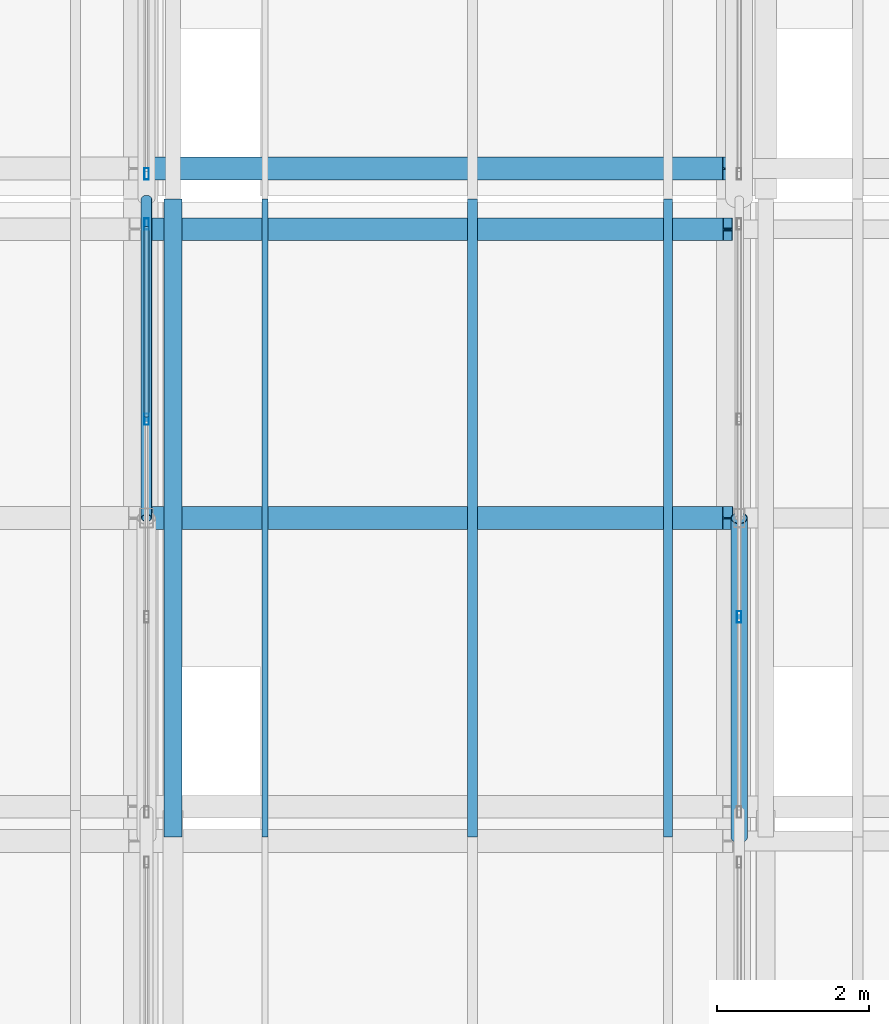
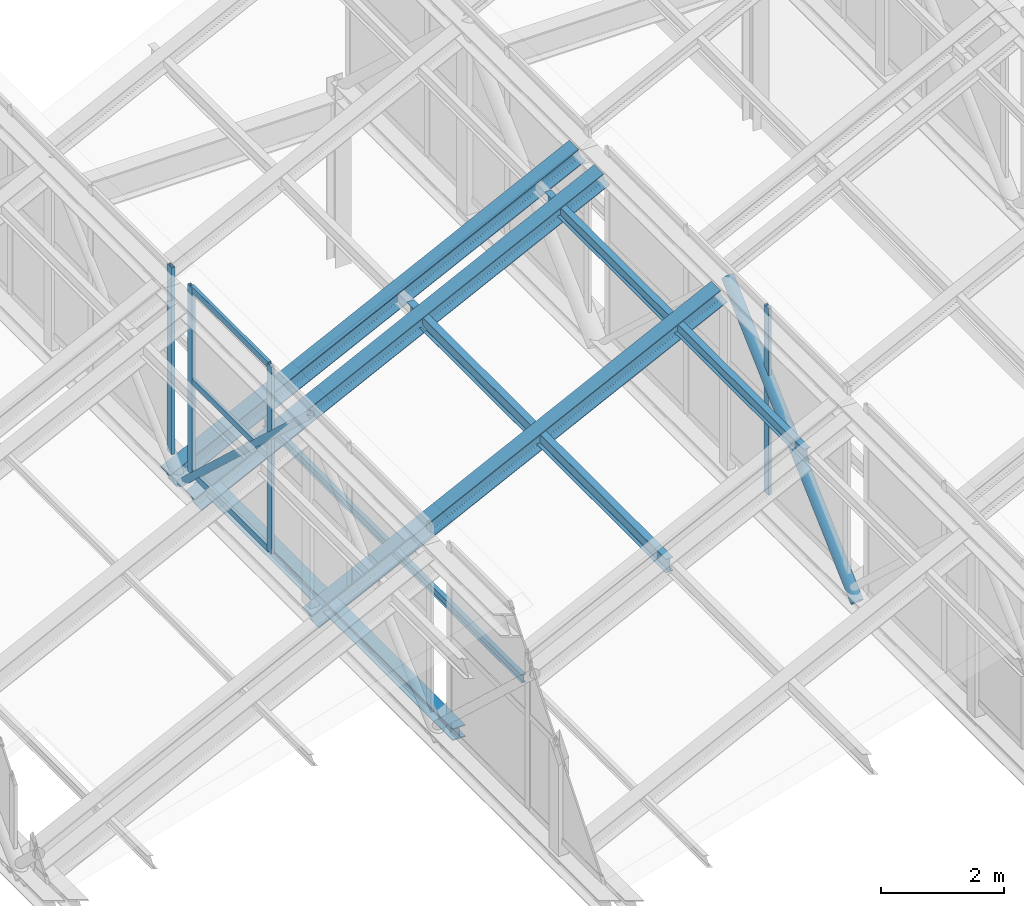
# One storey, part 37 of 101: 16 members, 3 elements without a shape of their own.
"""IFC4 building model written with IfcOpenShell, lengths in metres."""

from ifc_helpers import new_model, si_unit, direction, frame, origin, origin_2d, place, context, subcontext, project, spatial, hollow_rectangle, hollow_circle, i_section, extrude, material, layer, layer_set, material_profile, profile_set, type_object, element, aggregate, save


model = new_model("IFC4")

# Units and contexts
model_context = context("Model", 3, precision=1e-05, world=origin(), true_north=direction((0.0, 1.0)))
body_context = subcontext(model_context, "Body", "Model", "MODEL_VIEW")
ifc_project = project(units=[si_unit("LENGTHUNIT", "METRE"), si_unit("AREAUNIT", "SQUARE_METRE"), si_unit("VOLUMEUNIT", "CUBIC_METRE"), si_unit("PLANEANGLEUNIT", "RADIAN"), si_unit("MASSUNIT", "GRAM", prefix="KILO")], contexts=[model_context])

# Site, building, storey
site_placement = place(None, origin())
site = spatial("IfcSite", under=ifc_project, at=site_placement, CompositionType="ELEMENT")
building_placement = place(site_placement, origin())
building = spatial("IfcBuilding", under=site, at=building_placement, Name="Zizhar Promenade General Hospital", CompositionType="ELEMENT")
storey_placement = place(building_placement, frame((0.0, 0.0, 14.39990234375)))
storey = spatial("IfcBuildingStorey", under=building, at=storey_placement, Name="L03", CompositionType="ELEMENT", Elevation=14.39990234375)

# Curtain wall, members
ifc_material_1 = material(Name="Anodised aluminium 6063-T6 and low-E glass", Category="aluminium")
ifc_layer_1 = layer(ifc_material_1, 0.159912109375)
ifc_layer_set_1 = layer_set([ifc_layer_1], Name="Anodised aluminium 6063-T6 and low-E glass")
curtain_wall_type_1 = type_object("IfcCurtainWallType", Name="CW-SAW-NL2", PredefinedType="NOTDEFINED", material=ifc_layer_set_1)
curtain_wall_1_placement = place(storey_placement, origin())
curtain_wall_1 = element("IfcCurtainWall", 1, at=curtain_wall_1_placement, inside=storey, type_object=curtain_wall_type_1, Name="Sawtooth Clerestory Light B5-S2", PredefinedType="NOTDEFINED")
ifc_material_2 = material(Name="Anodised aluminium 6063-T6", Category="aluminium")
ifc_material_profile_1 = material_profile(ifc_material_2, hollow_rectangle(XDim=0.06005859375, YDim=0.14990234375, WallThickness=0.00390625, at=origin_2d()))
ifc_profile_set_1 = profile_set([ifc_material_profile_1], Name="Anodised aluminium 6063-T6")
member_type_1 = type_object("IfcMemberType", Name="CWM-ALU-150x60", PredefinedType="MULLION", material=ifc_profile_set_1)
member_1_placement = place(storey_placement, frame((109.199951171875, 39.10009765625, 3.85009765625), z_axis=(0.0, 0.0, 1.0), x_axis=(-1.0, 0.0, 0.0)))
member_1 = element("IfcMember", 2, at=member_1_placement, type_object=member_type_1, Name="CW-04 mullion 3", PredefinedType="MULLION", context=body_context, shape_type="SweptSolid", body=[
    extrude(hollow_rectangle(XDim=0.06005859375, YDim=0.14990234375, WallThickness=0.00390625, at=origin_2d()), origin(), (0.0, 0.0, 1.0), 3.699951171875),
])
member_2_placement = place(storey_placement, frame((109.199951171875, 41.669921875, 3.85009765625), z_axis=(0.0, 0.0, 1.0), x_axis=(-1.0, 0.0, 0.0)))
member_2 = element("IfcMember", 3, at=member_2_placement, type_object=member_type_1, Name="CW-04 mullion 4", PredefinedType="MULLION", context=body_context, shape_type="SweptSolid", body=[
    extrude(hollow_rectangle(XDim=0.06005859375, YDim=0.14990234375, WallThickness=0.00390625, at=origin_2d()), origin(), (0.0, 0.0, 1.0), 3.699951171875),
])

# Curtain wall, member
ifc_material_3 = material(Name="Anodised aluminium 6063-T6 and low-E glass", Category="aluminium")
ifc_layer_2 = layer(ifc_material_3, 0.159912109375)
ifc_layer_set_2 = layer_set([ifc_layer_2], Name="Anodised aluminium 6063-T6 and low-E glass")
curtain_wall_type_2 = type_object("IfcCurtainWallType", Name="CW-SAW-NL3", PredefinedType="NOTDEFINED", material=ifc_layer_set_2)
curtain_wall_2_placement = place(storey_placement, origin())
curtain_wall_2 = element("IfcCurtainWall", 4, at=curtain_wall_2_placement, inside=storey, type_object=curtain_wall_type_2, Name="Sawtooth Clerestory Light B5-S3", PredefinedType="NOTDEFINED")
member_3_placement = place(storey_placement, frame((109.199951171875, 42.330078125, 3.85009765625), z_axis=(0.0, 0.0, 1.0), x_axis=(-1.0, 0.0, 0.0)))
member_3 = element("IfcMember", 5, at=member_3_placement, type_object=member_type_1, Name="CW-05 mullion 1", PredefinedType="MULLION", context=body_context, shape_type="SweptSolid", body=[
    extrude(hollow_rectangle(XDim=0.06005859375, YDim=0.14990234375, WallThickness=0.00390625, at=origin_2d()), origin(), (0.0, 0.0, 1.0), 3.699951171875),
])
aggregate(curtain_wall_2, [member_3])

curtain_wall_3_placement = place(storey_placement, origin())
curtain_wall_3 = element("IfcCurtainWall", 6, at=curtain_wall_3_placement, inside=storey, type_object=curtain_wall_type_1, Name="Sawtooth Clerestory Light B6-S2", PredefinedType="NOTDEFINED")
member_4_placement = place(storey_placement, frame((117.0, 36.5, 3.85009765625), z_axis=(0.0, 0.0, 1.0), x_axis=(-1.0, 0.0, 0.0)))
member_4 = element("IfcMember", 7, at=member_4_placement, type_object=member_type_1, Name="CW-04 mullion 2", PredefinedType="MULLION", context=body_context, shape_type="SweptSolid", body=[
    extrude(hollow_rectangle(XDim=0.06005859375, YDim=0.14990234375, WallThickness=0.00390625, at=origin_2d()), origin(), (0.0, 0.0, 1.0), 3.699951171875),
])
aggregate(curtain_wall_3, [member_4])

# Member
ifc_material_4 = material(Name="Anodised aluminium 6063-T6", Category="aluminium")
ifc_material_profile_2 = material_profile(ifc_material_4, hollow_rectangle(XDim=0.06005859375, YDim=0.1201171875, WallThickness=0.00390625, at=origin_2d()))
ifc_profile_set_2 = profile_set([ifc_material_profile_2], Name="Anodised aluminium 6063-T6")
member_type_2 = type_object("IfcMemberType", Name="CWT-ALU-120x60", PredefinedType="USERDEFINED", material=ifc_profile_set_2)
member_5_placement = place(storey_placement, frame((109.199951171875, 39.1298828125, 3.880126953125), z_axis=(0.0, 1.0, 0.0), x_axis=(-1.0, 0.0, 0.0)))
member_5 = element("IfcMember", 8, at=member_5_placement, type_object=member_type_2, Name="CW-04 transom 3.1", ObjectType="TRANSOM", PredefinedType="USERDEFINED", context=body_context, shape_type="SweptSolid", body=[
    extrude(hollow_rectangle(XDim=0.06005859375, YDim=0.1201171875, WallThickness=0.00390625, at=origin_2d()), origin(), (0.0, 0.0, 1.0), 2.510009765625),
])

member_6_placement = place(storey_placement, frame((109.199951171875, 39.1298828125, 5.7001953125), z_axis=(0.0, 1.0, 0.0), x_axis=(-1.0, 0.0, 0.0)))
member_6 = element("IfcMember", 9, at=member_6_placement, type_object=member_type_2, Name="CW-04 transom 3.2", ObjectType="TRANSOM", PredefinedType="USERDEFINED", context=body_context, shape_type="SweptSolid", body=[
    extrude(hollow_rectangle(XDim=0.06005859375, YDim=0.1201171875, WallThickness=0.00390625, at=origin_2d()), origin(), (0.0, 0.0, 1.0), 2.510009765625),
])

member_7_placement = place(storey_placement, frame((109.199951171875, 39.1298828125, 7.52001953125), z_axis=(0.0, 1.0, 0.0), x_axis=(-1.0, 0.0, 0.0)))
member_7 = element("IfcMember", 10, at=member_7_placement, type_object=member_type_2, Name="CW-04 transom 3.3", ObjectType="TRANSOM", PredefinedType="USERDEFINED", context=body_context, shape_type="SweptSolid", body=[
    extrude(hollow_rectangle(XDim=0.06005859375, YDim=0.1201171875, WallThickness=0.00390625, at=origin_2d()), origin(), (0.0, 0.0, 1.0), 2.510009765625),
])

aggregate(curtain_wall_1, [member_1, member_2, member_5, member_6, member_7])

# Members
ifc_material_5 = material(Name="Steel S355", Category="steel")
ifc_material_profile_3 = material_profile(ifc_material_5, hollow_circle(Radius=0.06982421875, WallThickness=0.00634765625, at=origin_2d()))
ifc_profile_set_3 = profile_set([ifc_material_profile_3], Name="Steel S355")
member_type_3 = type_object("IfcMemberType", Name="MEM-BRACE-CHS140", PredefinedType="BRACE", material=ifc_profile_set_3)
member_8_placement = place(storey_placement, frame((109.199951171875, 42.0, 3.4501953125), z_axis=(0.0, -0.732798043082, 0.680446197767), x_axis=(1.0, 0.0, 0.0)))
element("IfcMember", 11, at=member_8_placement, inside=storey, type_object=member_type_3, Name="Sawtooth Truss Frame 6 Diagonal B2", PredefinedType="BRACE", context=body_context, shape_type="SweptSolid", body=[
    extrude(hollow_circle(Radius=0.06982421875, WallThickness=0.00634765625, at=origin_2d()), origin(), (0.0, 0.0, 1.0), 5.7314453125),
])
ifc_material_6 = material(Name="Steel S355", Category="steel")
ifc_material_profile_4 = material_profile(ifc_material_6, i_section(OverallWidth=0.239990234375, OverallDepth=0.239990234375, WebThickness=0.010009765625, FlangeThickness=0.01708984375, FilletRadius=0.02099609375, at=origin_2d()))
ifc_profile_set_4 = profile_set([ifc_material_profile_4], Name="Steel S355")
member_type_4 = type_object("IfcMemberType", Name="MEM-CHORD-HEB240", PredefinedType="CHORD", material=ifc_profile_set_4)
member_9_placement = place(storey_placement, frame((109.550048828125, 33.60009765625, 3.47021484375), z_axis=(0.0, 1.0, 0.0), x_axis=(-1.0, 0.0, 0.0)))
element("IfcMember", 12, at=member_9_placement, inside=storey, type_object=member_type_4, Name="Sawtooth Bay 6 Valley Tie 2", PredefinedType="CHORD", context=body_context, shape_type="SweptSolid", body=[
    extrude(i_section(OverallWidth=0.239990234375, OverallDepth=0.239990234375, WebThickness=0.010009765625, FlangeThickness=0.01708984375, FilletRadius=0.02099609375, at=origin_2d()), origin(), (0.0, 0.0, 1.0), 8.39990234375),
])
ifc_material_7 = material(Name="Steel S355", Category="steel")
ifc_material_profile_5 = material_profile(ifc_material_7, hollow_circle(Radius=0.109619140625, WallThickness=0.008056640625, at=origin_2d()))
ifc_profile_set_5 = profile_set([ifc_material_profile_5], Name="Steel S355")
member_type_5 = type_object("IfcMemberType", Name="MEM-DIAG-CHS219", PredefinedType="BRACE", material=ifc_profile_set_5)
member_10_placement = place(storey_placement, frame((117.0, 33.60009765625, 3.4501953125), z_axis=(0.0, 0.732798043082, 0.680446197767), x_axis=(-1.0, 0.0, 0.0)))
element("IfcMember", 13, at=member_10_placement, inside=storey, type_object=member_type_5, Name="Sawtooth Truss Frame 7 Diagonal A2", PredefinedType="BRACE", context=body_context, shape_type="SweptSolid", body=[
    extrude(hollow_circle(Radius=0.109619140625, WallThickness=0.008056640625, at=origin_2d()), origin(), (0.0, 0.0, 1.0), 5.7314453125),
])
ifc_material_8 = material(Name="Steel S355", Category="steel")
ifc_material_profile_6 = material_profile(ifc_material_8, i_section(OverallWidth=0.08203125, OverallDepth=0.159912109375, WebThickness=0.0048828125, FlangeThickness=0.00732421875, FilletRadius=0.009033203125, at=origin_2d()))
ifc_profile_set_6 = profile_set([ifc_material_profile_6], Name="Steel S355")
member_type_6 = type_object("IfcMemberType", Name="MEM-PURL-IPE160", PredefinedType="PURLIN", material=ifc_profile_set_6)
member_11_placement = place(storey_placement, frame((110.760009765625, 33.60009765625, 4.1171875), z_axis=(0.0, 1.0, 0.0), x_axis=(-1.0, 0.0, 0.0)))
element("IfcMember", 14, at=member_11_placement, inside=storey, type_object=member_type_6, Name="Sawtooth Bay 6 Purlin 2-1", PredefinedType="PURLIN", context=body_context, shape_type="SweptSolid", body=[
    extrude(i_section(OverallWidth=0.08203125, OverallDepth=0.159912109375, WebThickness=0.0048828125, FlangeThickness=0.00732421875, FilletRadius=0.009033203125, at=origin_2d()), origin(), (0.0, 0.0, 1.0), 8.39990234375),
])
ifc_material_9 = material(Name="Steel S355", Category="steel")
ifc_material_profile_7 = material_profile(ifc_material_9, i_section(OverallWidth=0.1201171875, OverallDepth=0.239990234375, WebThickness=0.006103515625, FlangeThickness=0.009765625, FilletRadius=0.014892578125, at=origin_2d()))
ifc_profile_set_7 = profile_set([ifc_material_profile_7], Name="Steel S355")
member_type_7 = type_object("IfcMemberType", Name="MEM-PURL-IPE240", PredefinedType="PURLIN", material=ifc_profile_set_7)
member_12_placement = place(storey_placement, frame((116.06396484375, 33.60009765625, 6.695068359375), z_axis=(0.0, 1.0, 0.0), x_axis=(-1.0, 0.0, 0.0)))
element("IfcMember", 15, at=member_12_placement, inside=storey, type_object=member_type_7, Name="Sawtooth Bay 6 Purlin 2-3", PredefinedType="PURLIN", context=body_context, shape_type="SweptSolid", body=[
    extrude(i_section(OverallWidth=0.1201171875, OverallDepth=0.239990234375, WebThickness=0.006103515625, FlangeThickness=0.009765625, FilletRadius=0.014892578125, at=origin_2d()), origin(), (0.0, 0.0, 1.0), 8.39990234375),
])
ifc_material_10 = material(Name="Steel S355", Category="steel")
ifc_material_profile_8 = material_profile(ifc_material_10, i_section(OverallWidth=0.135009765625, OverallDepth=0.27001953125, WebThickness=0.006591796875, FlangeThickness=0.01025390625, FilletRadius=0.014892578125, at=origin_2d()))
ifc_profile_set_8 = profile_set([ifc_material_profile_8], Name="Steel S355")
member_type_8 = type_object("IfcMemberType", Name="MEM-PURL-IPE270", PredefinedType="PURLIN", material=ifc_profile_set_8)
member_13_placement = place(storey_placement, frame((113.489990234375, 33.60009765625, 5.40966796875), z_axis=(0.0, 1.0, 0.0), x_axis=(-1.0, 0.0, 0.0)))
element("IfcMember", 16, at=member_13_placement, inside=storey, type_object=member_type_8, Name="Sawtooth Bay 6 Purlin 2-2", PredefinedType="PURLIN", context=body_context, shape_type="SweptSolid", body=[
    extrude(i_section(OverallWidth=0.135009765625, OverallDepth=0.27001953125, WebThickness=0.006591796875, FlangeThickness=0.01025390625, FilletRadius=0.014892578125, at=origin_2d()), origin(), (0.0, 0.0, 1.0), 8.39990234375),
])
ifc_material_11 = material(Name="Steel S355", Category="steel")
ifc_material_profile_9 = material_profile(ifc_material_11, i_section(OverallWidth=0.300048828125, OverallDepth=0.2900390625, WebThickness=0.008544921875, FlangeThickness=0.013916015625, FilletRadius=0.027099609375, at=origin_2d()))
ifc_profile_set_9 = profile_set([ifc_material_profile_9], Name="Steel S355")
member_type_9 = type_object("IfcMemberType", Name="MEM-RAFT-HEA300", PredefinedType="RAFTER", material=ifc_profile_set_9)
member_14_placement = place(storey_placement, frame((109.199951171875, 41.60009765625, 3.33154296875), z_axis=(0.896721845806, 0.0, 0.442594544989), x_axis=(0.0, 1.0, 0.0)))
element("IfcMember", 17, at=member_14_placement, inside=storey, type_object=member_type_9, Name="Sawtooth Bay 6 Rafter 2-3", PredefinedType="RAFTER", context=body_context, shape_type="SweptSolid", body=[
    extrude(i_section(OverallWidth=0.300048828125, OverallDepth=0.2900390625, WebThickness=0.008544921875, FlangeThickness=0.013916015625, FilletRadius=0.027099609375, at=origin_2d()), origin(), (0.0, 0.0, 1.0), 8.53125),
])
ifc_material_12 = material(Name="Steel S355", Category="steel")
ifc_material_profile_10 = material_profile(ifc_material_12, i_section(OverallWidth=0.300048828125, OverallDepth=0.31005859375, WebThickness=0.009033203125, FlangeThickness=0.015380859375, FilletRadius=0.027099609375, at=origin_2d()))
ifc_profile_set_10 = profile_set([ifc_material_profile_10], Name="Steel S355")
member_type_10 = type_object("IfcMemberType", Name="MEM-RAFT-HEA320", PredefinedType="RAFTER", material=ifc_profile_set_10)
for number, where, z_axis, x_axis, name in (
    (18, (109.199951171875, 37.800048828125, 3.3203125), (0.896710487916, 0.0, 0.442617555979), (0.0, 1.0, 0.0), "Sawtooth Bay 6 Rafter 2-2"),
    (19, (109.199951171875, 42.39990234375, 3.3203125), (0.896710487916, 0.0, 0.442617555979), (0.0, 1.0, 0.0), "Sawtooth Bay 6 Rafter 3-1"),
):
    element("IfcMember", number, at=place(storey_placement, frame(where, z_axis=z_axis, x_axis=x_axis)), inside=storey, type_object=member_type_10, Name=name, PredefinedType="RAFTER", context=body_context, shape_type="SweptSolid", body=[
        extrude(i_section(OverallWidth=0.300048828125, OverallDepth=0.31005859375, WebThickness=0.009033203125, FlangeThickness=0.015380859375, FilletRadius=0.027099609375, at=origin_2d()), origin(), (0.0, 0.0, 1.0), 8.53125),
    ])

save(model, "model.ifc")
